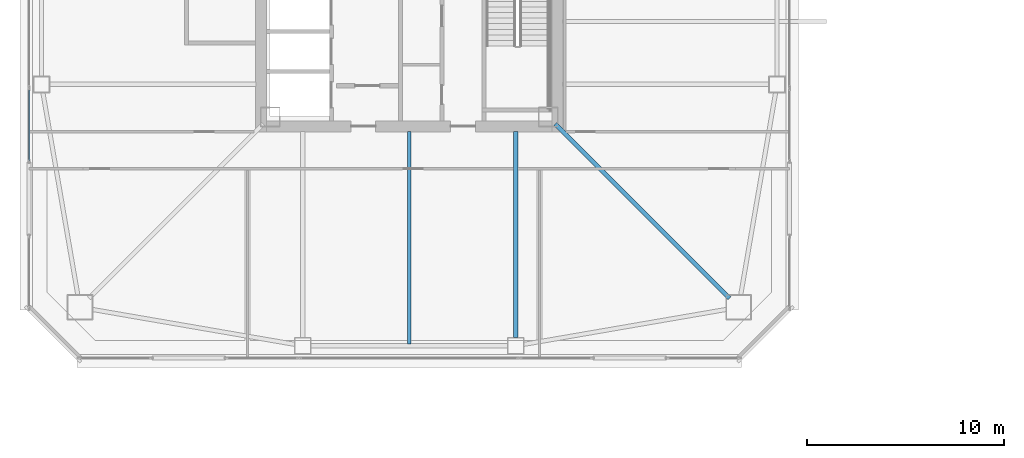
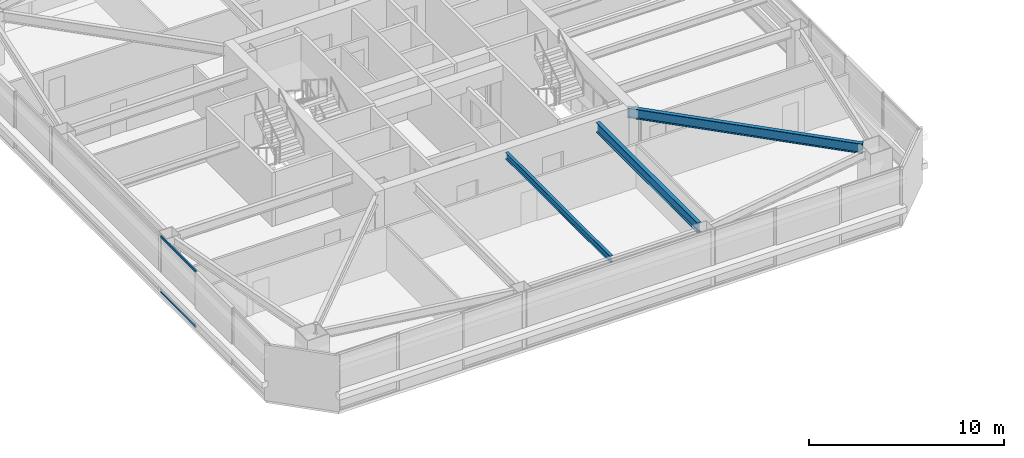
# One storey, part 7 of 46: 3 beams, 2 members, 1 element without a shape of its own.
"""IFC4 building model written with IfcOpenShell, lengths in metres."""

from ifc_helpers import new_model, si_unit, direction, frame, origin, origin_2d, place, context, subcontext, project, spatial, hollow_rectangle, i_section, extrude, material, material_profile, profile_set, type_object, element, aggregate, save


model = new_model("IFC4")

# Units and contexts
model_context = context("Model", 3, precision=1e-05, world=origin(), true_north=direction((0.0, 1.0)))
body_context = subcontext(model_context, "Body", "Model", "MODEL_VIEW")
ifc_project = project(units=[si_unit("LENGTHUNIT", "METRE"), si_unit("AREAUNIT", "SQUARE_METRE"), si_unit("VOLUMEUNIT", "CUBIC_METRE"), si_unit("PLANEANGLEUNIT", "RADIAN"), si_unit("MASSUNIT", "GRAM", prefix="KILO")], contexts=[model_context])

# Site, building, storey
site_placement = place(None, origin())
site = spatial("IfcSite", under=ifc_project, at=site_placement, CompositionType="ELEMENT")
building_placement = place(site_placement, origin())
building = spatial("IfcBuilding", under=site, at=building_placement, Name="Tashvorn Skyway Center", CompositionType="ELEMENT")
storey_placement = place(building_placement, frame((0.0, 0.0, 139.25)))
storey = spatial("IfcBuildingStorey", under=building, at=storey_placement, Name="L37", CompositionType="ELEMENT", Elevation=139.25)

# Beams
ifc_material_1 = material(Name="Steel ASTM A992 Grade 50", Category="steel")
ifc_material_profile_1 = material_profile(ifc_material_1, i_section(OverallWidth=0.22998046875, OverallDepth=0.616943359375, WebThickness=0.01318359375, FlangeThickness=0.022216796875, at=origin_2d()), Name="W24X94")
ifc_profile_set_1 = profile_set([ifc_material_profile_1], Name="Steel ASTM A992 Grade 50")
beam_type_1 = type_object("IfcBeamType", Name="BM-BEAM-W24X94", PredefinedType="BEAM", material=ifc_profile_set_1)
beam_1_placement = place(storey_placement, frame((58.243896484375, 15.756103515625, 3.0615234375), z_axis=(-0.707106781187, 0.707106781187, 0.0), x_axis=(-0.707106781187, -0.707106781187, 0.0)))
element("IfcBeam", 1, at=beam_1_placement, inside=storey, type_object=beam_type_1, Name="Tower 1 L37 Primary Floor Girder MC-SE", PredefinedType="BEAM", context=body_context, shape_type="SweptSolid", body=[
    extrude(i_section(OverallWidth=0.22998046875, OverallDepth=0.616943359375, WebThickness=0.01318359375, FlangeThickness=0.022216796875, at=origin_2d()), origin(), (0.0, 0.0, 1.0), 12.50732421875),
])
beam_2_placement = place(storey_placement, frame((47.39990234375, 13.77001953125, 3.0615234375), z_axis=(0.0, 1.0, 0.0), x_axis=(-1.0, 0.0, 0.0)))
element("IfcBeam", 2, at=beam_2_placement, inside=storey, type_object=beam_type_1, Name="Tower 1 L37 Primary Floor Girder FC-S2", PredefinedType="BEAM", context=body_context, shape_type="SweptSolid", body=[
    extrude(i_section(OverallWidth=0.22998046875, OverallDepth=0.616943359375, WebThickness=0.01318359375, FlangeThickness=0.022216796875, at=origin_2d()), origin(), (0.0, 0.0, 1.0), 10.449951171875),
])
ifc_material_profile_2 = material_profile(ifc_material_1, i_section(OverallWidth=0.177978515625, OverallDepth=0.406005859375, WebThickness=0.0078125, FlangeThickness=0.0126953125, at=origin_2d()), Name="W16X40")
ifc_profile_set_2 = profile_set([ifc_material_profile_2], Name="Steel ASTM A992 Grade 50")
beam_type_2 = type_object("IfcBeamType", Name="BM-JOIST-W16X40", PredefinedType="JOIST", material=ifc_profile_set_2)
beam_3_placement = place(storey_placement, frame((42.0, 24.2099609375, 3.1669921875), z_axis=(0.0, -1.0, 0.0), x_axis=(1.0, 0.0, 0.0)))
element("IfcBeam", 3, at=beam_3_placement, inside=storey, type_object=beam_type_2, Name="Tower 1 L37 Secondary Composite Joist JS", PredefinedType="JOIST", context=body_context, shape_type="SweptSolid", body=[
    extrude(i_section(OverallWidth=0.177978515625, OverallDepth=0.406005859375, WebThickness=0.0078125, FlangeThickness=0.0126953125, at=origin_2d()), origin(), (0.0, 0.0, 1.0), 10.762451171875),
])

# Curtain wall, members
ifc_material_2 = material(Name="Thermally broken bronze-anodized aluminium 6063-T6", Category="aluminium")
curtain_wall_type = type_object("IfcCurtainWallType", Name="CW-CW-Z3", PredefinedType="NOTDEFINED", material=ifc_material_2)
curtain_wall_placement = place(storey_placement, origin())
curtain_wall = element("IfcCurtainWall", 4, at=curtain_wall_placement, inside=storey, type_object=curtain_wall_type, Name="Tower 1 L37 West Unitised Curtain Wall Glazing Group 2", PredefinedType="NOTDEFINED")
ifc_material_profile_3 = material_profile(ifc_material_2, hollow_rectangle(XDim=0.074951171875, YDim=0.139892578125, WallThickness=0.004150390625, at=origin_2d()), Name="ALU-TRAN-75x140")
ifc_profile_set_3 = profile_set([ifc_material_profile_3], Name="Thermally broken bronze-anodized aluminium 6063-T6")
member_type = type_object("IfcMemberType", Name="CWT-CW-Z3", PredefinedType="USERDEFINED", material=ifc_profile_set_3)
member_1_placement = place(storey_placement, frame((22.719970703125, 22.752685546875, 0.03759765625), z_axis=(0.0, 1.0, 0.0), x_axis=(-1.0, 0.0, 0.0)))
member_1 = element("IfcMember", 5, at=member_1_placement, type_object=member_type, Name="CW-Z3 transom 1.1", ObjectType="TRANSOM", PredefinedType="USERDEFINED", context=body_context, shape_type="SweptSolid", body=[
    extrude(hollow_rectangle(XDim=0.074951171875, YDim=0.139892578125, WallThickness=0.004150390625, at=origin_2d()), origin(), (0.0, 0.0, 1.0), 3.5791015625),
])
member_2_placement = place(storey_placement, frame((22.719970703125, 22.752685546875, 3.512451171875), z_axis=(0.0, 1.0, 0.0), x_axis=(-1.0, 0.0, 0.0)))
member_2 = element("IfcMember", 6, at=member_2_placement, type_object=member_type, Name="CW-Z3 transom 1.2", ObjectType="TRANSOM", PredefinedType="USERDEFINED", context=body_context, shape_type="SweptSolid", body=[
    extrude(hollow_rectangle(XDim=0.074951171875, YDim=0.139892578125, WallThickness=0.004150390625, at=origin_2d()), origin(), (0.0, 0.0, 1.0), 3.5791015625),
])
aggregate(curtain_wall, [member_1, member_2])

save(model, "model.ifc")
